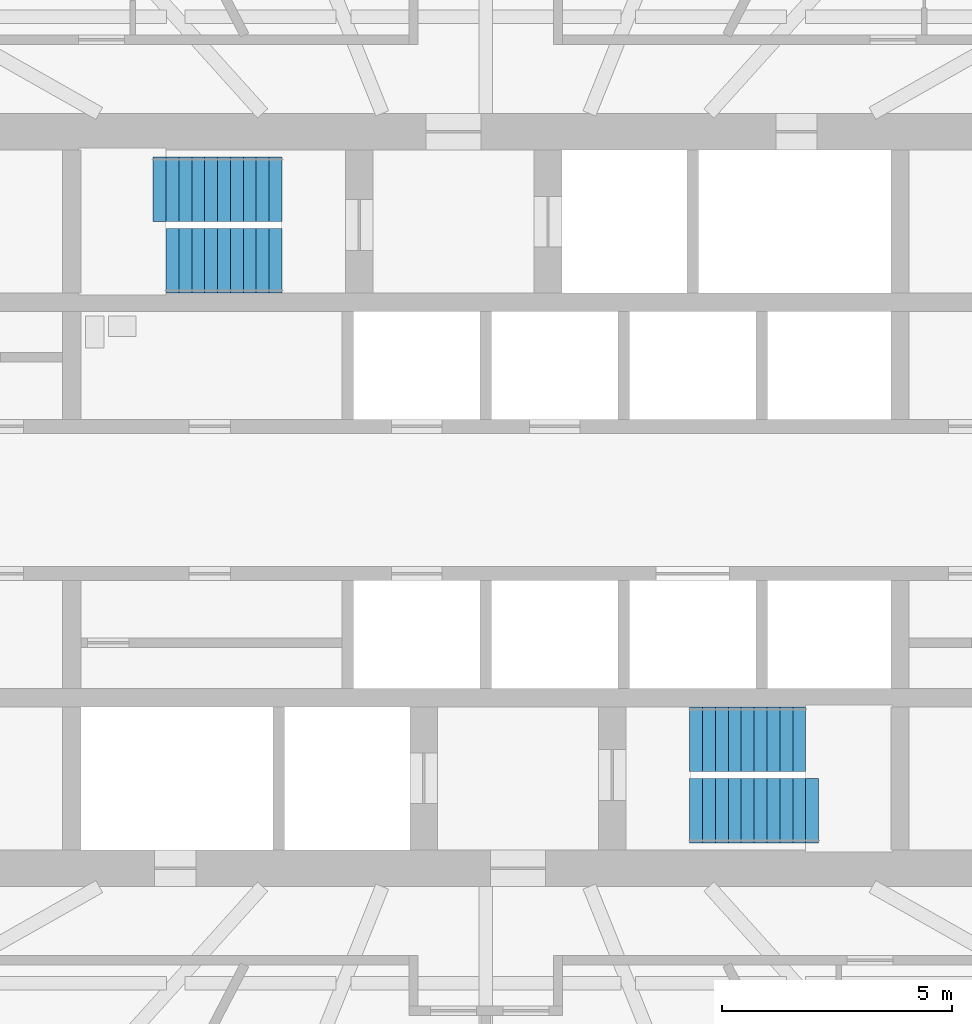
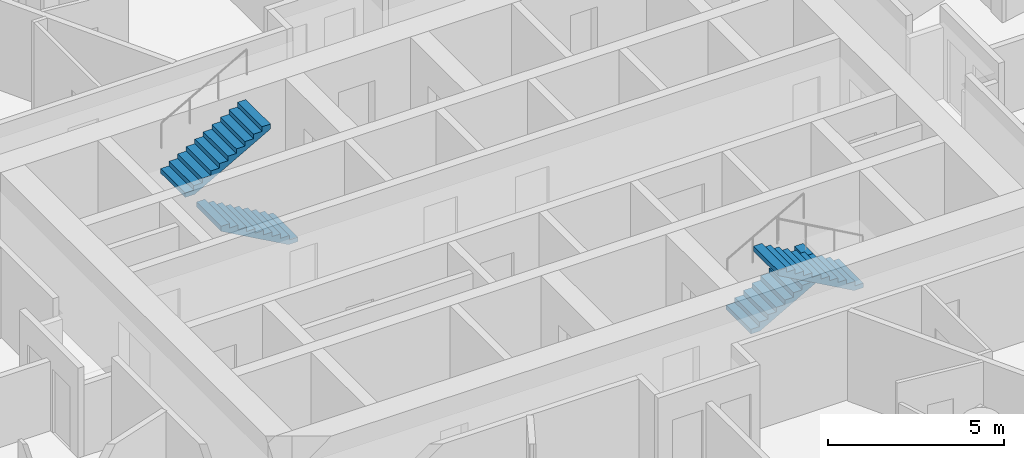
# One storey, part 14 of 16: 4 stair flights, 2 elements without a shape of their own.
"""IFC4 building model written with IfcOpenShell, lengths in metres."""

import ifcopenshell
import ifcopenshell.guid

model = None  # the IFC model being written
_history = None  # IfcOwnerHistory: only IFC2X3 demands one
_inside = {}  # id of a spatial element -> (the spatial element, [elements in it])
_under = {}  # id of a project, library or spatial element -> (it, [spatial elements below it])
_declared = {}  # id of a project -> (the project, [libraries it declares])
_typed = {}  # id of a type object -> (the type object, [elements of that type])
_made_of = {}  # id of a material, layer set ... -> (it, [elements and type objects made of it])


def new_model(schema):
    """Start an empty IFC model of exactly this schema.

    Asked for "IFC4X3", IfcOpenShell would pick the latest addendum, in which some entities
    have other attributes; the version numbers below select the first issue.
    IFC2X3 requires an IfcOwnerHistory on every rooted entity: one is made here for all.
    """
    global model, _history
    if schema == "IFC4X3":
        model = ifcopenshell.file(schema_version=(4, 3, 0, 0))
    else:
        model = ifcopenshell.file(schema=schema)
    _inside.clear()
    _under.clear()
    _declared.clear()
    _typed.clear()
    _made_of.clear()
    _history = None
    if model.schema == "IFC2X3":
        org = make("IfcOrganization", Name="unknown")
        user = make(
            "IfcPersonAndOrganization",
            ThePerson=make("IfcPerson", FamilyName="unknown"),
            TheOrganization=org,
        )
        app = make(
            "IfcApplication",
            ApplicationDeveloper=org,
            Version="unknown",
            ApplicationFullName="unknown",
            ApplicationIdentifier="unknown",
        )
        _history = make(
            "IfcOwnerHistory",
            OwningUser=user,
            OwningApplication=app,
            ChangeAction="ADDED",
            CreationDate=0,
        )
    return model


def make(cls, **values):
    """One entity of the class cls with the attributes given. An attribute that is None is left unset."""
    return model.create_entity(
        cls, **{name: value for name, value in values.items() if value is not None}
    )


def rooted(cls, **values):
    """An entity with a GlobalId (a new one), such as an element, a storey or a relation."""
    return make(cls, GlobalId=ifcopenshell.guid.new(), OwnerHistory=_history, **values)


def si_unit(unit_type, name, prefix=None):
    """IfcSIUnit, for example si_unit("LENGTHUNIT", "METRE", prefix="MILLI")."""
    return make("IfcSIUnit", UnitType=unit_type, Prefix=prefix, Name=name)


def assignment(units):
    """IfcUnitAssignment: the units of a project."""
    return None if units is None else make("IfcUnitAssignment", Units=units)


def point(xyz):
    """IfcCartesianPoint."""
    return None if xyz is None else make("IfcCartesianPoint", Coordinates=xyz)


def direction(xyz):
    """IfcDirection."""
    return None if xyz is None else make("IfcDirection", DirectionRatios=xyz)


def frame(location, z_axis=None, x_axis=None):
    """IfcAxis2Placement3D, a coordinate frame: its origin and axes. An axis left out is left unset."""
    return make(
        "IfcAxis2Placement3D",
        Location=point(location),
        Axis=direction(z_axis),
        RefDirection=direction(x_axis),
    )


def origin():
    """The frame at (0, 0, 0) with its axes left unset."""
    return frame((0.0, 0.0, 0.0))


def place(relative_to, where):
    """IfcLocalPlacement: puts the frame where relative to a parent placement (None: the world)."""
    return make(
        "IfcLocalPlacement", PlacementRelTo=relative_to, RelativePlacement=where
    )


def context(
    kind, dimensions, precision=None, world=None, true_north=None, identifier=None
):
    """IfcGeometricRepresentationContext, for example the 3D "Model" context."""
    return make(
        "IfcGeometricRepresentationContext",
        ContextIdentifier=identifier,
        ContextType=kind,
        CoordinateSpaceDimension=dimensions,
        Precision=precision,
        WorldCoordinateSystem=world,
        TrueNorth=true_north,
    )


def subcontext(parent, identifier, kind, view, scale=None):
    """IfcGeometricRepresentationSubContext, for example "Body" below "Model"."""
    return make(
        "IfcGeometricRepresentationSubContext",
        ContextIdentifier=identifier,
        ContextType=kind,
        ParentContext=parent,
        TargetScale=scale,
        TargetView=view,
    )


def project(units=None, contexts=None):
    """IfcProject with its units and contexts."""
    return rooted(
        "IfcProject",
        Name="project",
        RepresentationContexts=contexts,
        UnitsInContext=assignment(units),
    )


def spatial(cls, under=None, at=None, **own):
    """A site, building, storey or space (cls), placed at a placement, below another one or the project."""
    s = rooted(cls, ObjectPlacement=at, **own)
    if under is not None:
        _under.setdefault(under.id(), (under, []))[1].append(s)
    return s


def polyline(points):
    """IfcPolyline through the points."""
    return make("IfcPolyline", Points=[point(p) for p in points])


def outline(outer, holes=None, kind="AREA"):
    """IfcArbitraryClosedProfileDef: a profile drawn as a closed curve; with holes, ...WithVoids."""
    if holes is None:
        return make("IfcArbitraryClosedProfileDef", ProfileType=kind, OuterCurve=outer)
    return make(
        "IfcArbitraryProfileDefWithVoids",
        ProfileType=kind,
        OuterCurve=outer,
        InnerCurves=holes,
    )


def extrude(swept, where, along, depth):
    """IfcExtrudedAreaSolid: the profile swept, set in the frame where, extruded along a direction by depth."""
    return make(
        "IfcExtrudedAreaSolid",
        SweptArea=swept,
        Position=where,
        ExtrudedDirection=direction(along),
        Depth=depth,
    )


def shape(context_of_items, identifier, shape_type, items):
    """IfcShapeRepresentation: the items that make up one representation, for example the "Body"."""
    return make(
        "IfcShapeRepresentation",
        ContextOfItems=context_of_items,
        RepresentationIdentifier=identifier,
        RepresentationType=shape_type,
        Items=items,
    )


def material(Name=None, Category=None):
    """IfcMaterial."""
    return make("IfcMaterial", Name=Name, Category=Category)


def made_of(thing, what):
    """Note that an element or type object is made of a material, layer set ...; save() writes the relation."""
    if what is not None:
        _made_of.setdefault(what.id(), (what, []))[1].append(thing)
    return thing


def type_object(cls, material=None, **own):
    """A type object (cls), such as IfcWallType, which elements share."""
    return made_of(rooted(cls, **own), material)


def element(
    cls,
    number,
    at=None,
    inside=None,
    cuts=None,
    type_object=None,
    material=None,
    context=None,
    identifier="Body",
    shape_type=None,
    held_by="IfcProductDefinitionShape",
    body=None,
    shapes=None,
    **own,
):
    """One element of the class cls, such as IfcWall. Its Tag is "e" and its number.

    at: its placement. inside: the storey or other place that contains it. cuts: it is an
    opening in that element (IfcRelVoidsElement). A single representation is given by context,
    identifier, shape_type and body (its items); several are given by shapes. held_by: the class
    of the entity that holds the representations. save() writes the other relations.
    """
    e = rooted(cls, Tag="e%d" % number, ObjectPlacement=at, **own)
    if body is not None:
        shapes = [shape(context, identifier, shape_type, body)]
    if shapes is not None:
        e.Representation = make(held_by, Representations=shapes)
    if inside is not None:
        _inside.setdefault(inside.id(), (inside, []))[1].append(e)
    if cuts is not None:
        rooted(
            "IfcRelVoidsElement", RelatingBuildingElement=cuts, RelatedOpeningElement=e
        )
    if type_object is not None:
        _typed.setdefault(type_object.id(), (type_object, []))[1].append(e)
    return made_of(e, material)


def aggregate(whole, parts):
    """IfcRelAggregates: a whole, such as a stair, and the parts it consists of."""
    return rooted("IfcRelAggregates", RelatingObject=whole, RelatedObjects=parts)


def save(model, path):
    """Write the relations noted so far, then the file.

    IfcRelAggregates (storeys below a building ...), IfcRelContainedInSpatialStructure (elements
    in a storey), IfcRelDefinesByType, IfcRelAssociatesMaterial and IfcRelDeclares: one each for
    every whole, place, type object, material and project.
    """
    for whole, parts in _under.values():
        aggregate(whole, parts)
    for where, things in _inside.values():
        rooted(
            "IfcRelContainedInSpatialStructure",
            RelatedElements=things,
            RelatingStructure=where,
        )
    for kind, things in _typed.values():
        rooted("IfcRelDefinesByType", RelatedObjects=things, RelatingType=kind)
    for what, things in _made_of.values():
        rooted("IfcRelAssociatesMaterial", RelatedObjects=things, RelatingMaterial=what)
    for by, libraries in _declared.values():
        rooted("IfcRelDeclares", RelatingContext=by, RelatedDefinitions=libraries)
    model.write(path)


model = new_model("IFC4")

# Units and contexts
model_context = context("Model", 3, precision=1e-05, world=origin(), true_north=direction((0.0, 1.0)))
body_context = subcontext(model_context, "Body", "Model", "MODEL_VIEW")
ifc_project = project(units=[si_unit("LENGTHUNIT", "METRE"), si_unit("AREAUNIT", "SQUARE_METRE"), si_unit("VOLUMEUNIT", "CUBIC_METRE"), si_unit("PLANEANGLEUNIT", "RADIAN"), si_unit("MASSUNIT", "GRAM", prefix="KILO")], contexts=[model_context])

# Site, building, storey
site_placement = place(None, origin())
site = spatial("IfcSite", under=ifc_project, at=site_placement, CompositionType="ELEMENT")
building_placement = place(site_placement, origin())
building = spatial("IfcBuilding", under=site, at=building_placement, Name="Hankou Lantern Tower", CompositionType="ELEMENT")
storey_placement = place(building_placement, frame((0.0, 0.0, 146.699951171875)))
storey = spatial("IfcBuildingStorey", under=building, at=storey_placement, Name="L38", CompositionType="ELEMENT", Elevation=146.699951171875)

# Stair, stair flight
ifc_material_1 = material(Name="Concrete C40", Category="concrete")
stair_type = type_object("IfcStairType", Name="ST33 CORE STAIR 3300 RISE", PredefinedType="HALF_TURN_STAIR", material=ifc_material_1)
stair_1_placement = place(storey_placement, origin())
stair_1 = element("IfcStair", 1, at=stair_1_placement, inside=storey, type_object=stair_type, Name="Stair STA L38", PredefinedType="HALF_TURN_STAIR")
ifc_material_2 = material(Name="Concrete C40", Category="concrete")
stair_flight_type_1 = type_object("IfcStairFlightType", Name="CF10 CORE STAIR FLIGHT 1400 X 10 RISERS", PredefinedType="STRAIGHT", material=ifc_material_2)
stair_flight_1_placement = place(storey_placement, frame((-4.429931640625, 5.199951171875, 0.0), z_axis=(0.0, 0.0, 1.0), x_axis=(-1.0, 0.0, 0.0)))
stair_flight_1 = element("IfcStairFlight", 2, at=stair_flight_1_placement, type_object=stair_flight_type_1, Name="STA flight 1", NumberOfRisers=10, NumberOfTreads=9, PredefinedType="STRAIGHT", RiserHeight=0.157142857, TreadLength=0.28, context=body_context, shape_type="SweptSolid", body=[
    extrude(outline(polyline([(0.0, 0.0), (0.0, 0.1572265625), (0.280029296875, 0.1572265625), (0.280029296875, 0.314208984375), (0.56005859375, 0.314208984375), (0.56005859375, 0.471435546875), (0.840087890625, 0.471435546875), (0.840087890625, 0.628662109375), (1.1201171875, 0.628662109375), (1.1201171875, 0.78564453125), (1.39990234375, 0.78564453125), (1.39990234375, 0.94287109375), (1.679931640625, 0.94287109375), (1.679931640625, 1.10009765625), (1.9599609375, 1.10009765625), (1.9599609375, 1.257080078125), (2.239990234375, 1.257080078125), (2.239990234375, 1.414306640625), (2.52001953125, 1.414306640625), (2.52001953125, 1.571533203125), (2.52001953125, 1.242431640625), (0.306396484375, 0.0), (0.0, 0.0)])), frame((0.0, 0.699951171875, 0.0), z_axis=(0.0, -1.0, 0.0), x_axis=(1.0, 0.0, 0.0)), (0.0, 0.0, 1.0), 1.39990234375),
])

stair_2_placement = place(storey_placement, origin())
stair_2 = element("IfcStair", 3, at=stair_2_placement, inside=storey, type_object=stair_type, Name="Stair STB L38", PredefinedType="HALF_TURN_STAIR")
stair_flight_2_placement = place(storey_placement, frame((4.429931640625, -5.199951171875, 0.0), z_axis=(0.0, 0.0, 1.0), x_axis=(1.0, 0.0, 0.0)))
stair_flight_2 = element("IfcStairFlight", 4, at=stair_flight_2_placement, type_object=stair_flight_type_1, Name="STB flight 1", NumberOfRisers=10, NumberOfTreads=9, PredefinedType="STRAIGHT", RiserHeight=0.157142857, TreadLength=0.28, context=body_context, shape_type="SweptSolid", body=[
    extrude(outline(polyline([(0.0, 0.0), (0.0, 0.1572265625), (0.280029296875, 0.1572265625), (0.280029296875, 0.314208984375), (0.56005859375, 0.314208984375), (0.56005859375, 0.471435546875), (0.840087890625, 0.471435546875), (0.840087890625, 0.628662109375), (1.1201171875, 0.628662109375), (1.1201171875, 0.78564453125), (1.39990234375, 0.78564453125), (1.39990234375, 0.94287109375), (1.679931640625, 0.94287109375), (1.679931640625, 1.10009765625), (1.9599609375, 1.10009765625), (1.9599609375, 1.257080078125), (2.239990234375, 1.257080078125), (2.239990234375, 1.414306640625), (2.52001953125, 1.414306640625), (2.52001953125, 1.571533203125), (2.52001953125, 1.242431640625), (0.306396484375, 0.0), (0.0, 0.0)])), frame((0.0, 0.699951171875, 0.0), z_axis=(0.0, -1.0, 0.0), x_axis=(1.0, 0.0, 0.0)), (0.0, 0.0, 1.0), 1.39990234375),
])

# Stair flight
ifc_material_3 = material(Name="Concrete C40", Category="concrete")
stair_flight_type_2 = type_object("IfcStairFlightType", Name="CF11 CORE STAIR FLIGHT 1400 X 11 RISERS", PredefinedType="STRAIGHT", material=ifc_material_3)
stair_flight_3_placement = place(storey_placement, frame((-7.22998046875, 6.75, 1.571533203125), z_axis=(0.0, 0.0, 1.0), x_axis=(1.0, 0.0, 0.0)))
stair_flight_3 = element("IfcStairFlight", 5, at=stair_flight_3_placement, type_object=stair_flight_type_2, Name="STA flight 2", NumberOfRisers=11, NumberOfTreads=10, PredefinedType="STRAIGHT", RiserHeight=0.157142857, TreadLength=0.28, context=body_context, shape_type="SweptSolid", body=[
    extrude(outline(polyline([(0.0, 0.0), (0.0, 0.1572265625), (0.280029296875, 0.1572265625), (0.280029296875, 0.314208984375), (0.56005859375, 0.314208984375), (0.56005859375, 0.471435546875), (0.840087890625, 0.471435546875), (0.840087890625, 0.628662109375), (1.1201171875, 0.628662109375), (1.1201171875, 0.78564453125), (1.39990234375, 0.78564453125), (1.39990234375, 0.94287109375), (1.679931640625, 0.94287109375), (1.679931640625, 1.10009765625), (1.9599609375, 1.10009765625), (1.9599609375, 1.257080078125), (2.239990234375, 1.257080078125), (2.239990234375, 1.414306640625), (2.52001953125, 1.414306640625), (2.52001953125, 1.571533203125), (2.800048828125, 1.571533203125), (2.800048828125, 1.728515625), (2.800048828125, 1.3994140625), (0.306396484375, 0.0), (0.0, 0.0)])), frame((0.0, 0.699951171875, 0.0), z_axis=(0.0, -1.0, 0.0), x_axis=(1.0, 0.0, 0.0)), (0.0, 0.0, 1.0), 1.39990234375),
])

aggregate(stair_1, [stair_flight_1, stair_flight_3])

stair_flight_4_placement = place(storey_placement, frame((7.22998046875, -6.75, 1.571533203125), z_axis=(0.0, 0.0, 1.0), x_axis=(-1.0, 0.0, 0.0)))
stair_flight_4 = element("IfcStairFlight", 6, at=stair_flight_4_placement, type_object=stair_flight_type_2, Name="STB flight 2", NumberOfRisers=11, NumberOfTreads=10, PredefinedType="STRAIGHT", RiserHeight=0.157142857, TreadLength=0.28, context=body_context, shape_type="SweptSolid", body=[
    extrude(outline(polyline([(0.0, 0.0), (0.0, 0.1572265625), (0.280029296875, 0.1572265625), (0.280029296875, 0.314208984375), (0.56005859375, 0.314208984375), (0.56005859375, 0.471435546875), (0.840087890625, 0.471435546875), (0.840087890625, 0.628662109375), (1.1201171875, 0.628662109375), (1.1201171875, 0.78564453125), (1.39990234375, 0.78564453125), (1.39990234375, 0.94287109375), (1.679931640625, 0.94287109375), (1.679931640625, 1.10009765625), (1.9599609375, 1.10009765625), (1.9599609375, 1.257080078125), (2.239990234375, 1.257080078125), (2.239990234375, 1.414306640625), (2.52001953125, 1.414306640625), (2.52001953125, 1.571533203125), (2.800048828125, 1.571533203125), (2.800048828125, 1.728515625), (2.800048828125, 1.3994140625), (0.306396484375, 0.0), (0.0, 0.0)])), frame((0.0, 0.699951171875, 0.0), z_axis=(0.0, -1.0, 0.0), x_axis=(1.0, 0.0, 0.0)), (0.0, 0.0, 1.0), 1.39990234375),
])

aggregate(stair_2, [stair_flight_2, stair_flight_4])

save(model, "model.ifc")
